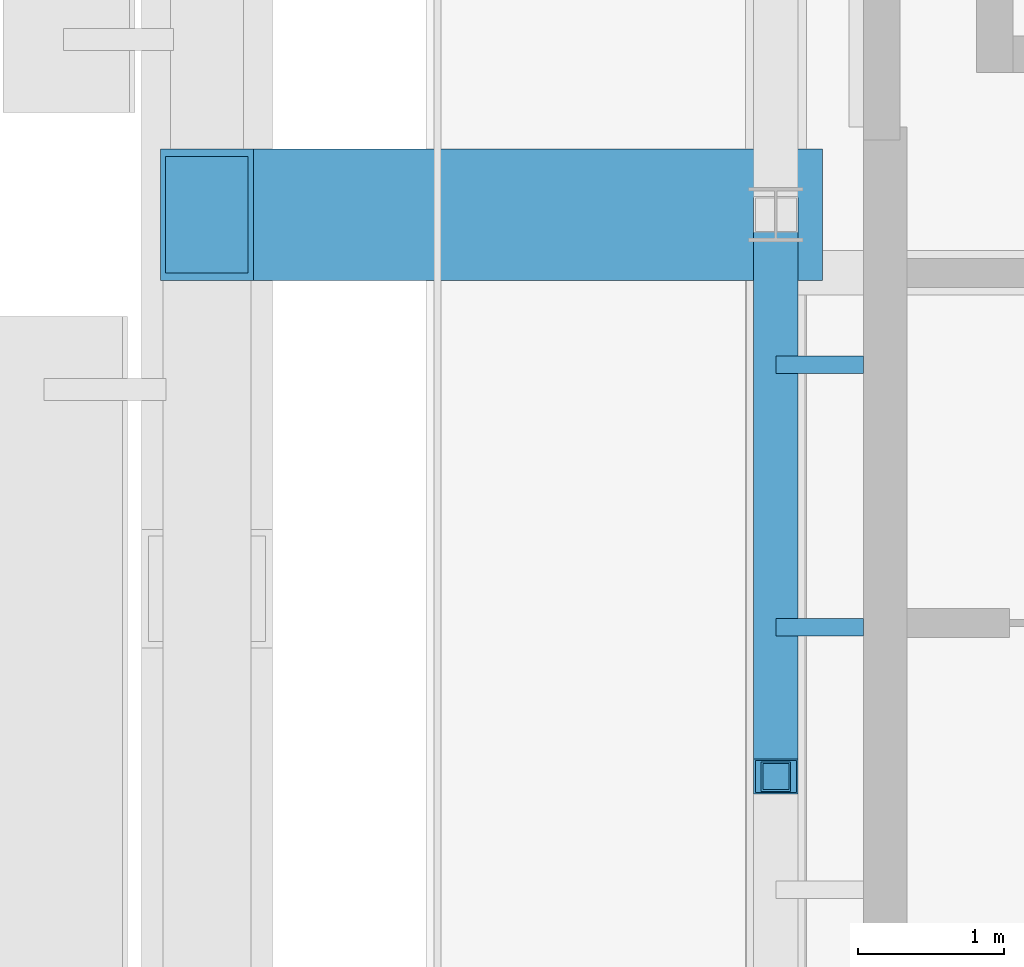
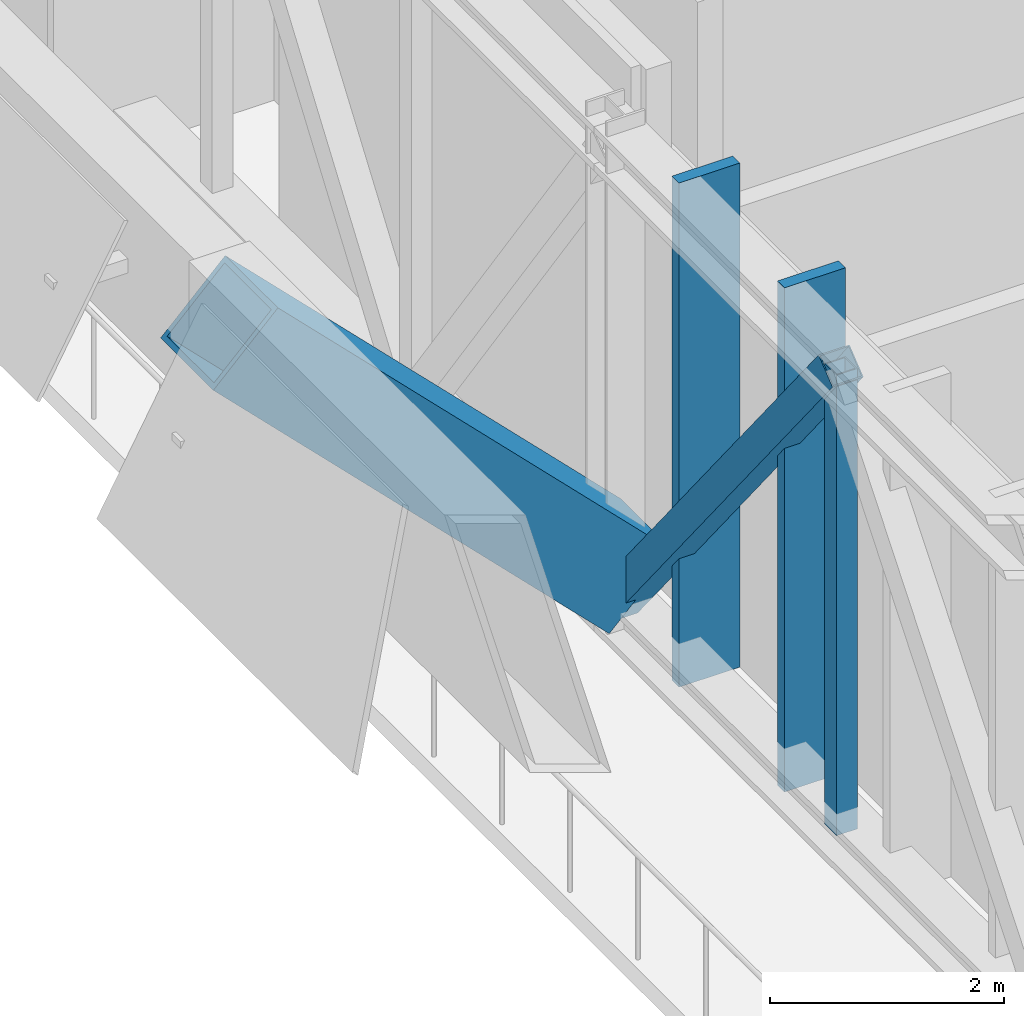
# One storey, part 8 of 31: 5 members, 1 element without a shape of its own.
"""IFC4 building model written with IfcOpenShell, lengths in metres."""

import ifcopenshell
import ifcopenshell.guid

model = None  # the IFC model being written
_history = None  # IfcOwnerHistory: only IFC2X3 demands one
_inside = {}  # id of a spatial element -> (the spatial element, [elements in it])
_under = {}  # id of a project, library or spatial element -> (it, [spatial elements below it])
_declared = {}  # id of a project -> (the project, [libraries it declares])
_typed = {}  # id of a type object -> (the type object, [elements of that type])
_made_of = {}  # id of a material, layer set ... -> (it, [elements and type objects made of it])


def new_model(schema):
    """Start an empty IFC model of exactly this schema.

    Asked for "IFC4X3", IfcOpenShell would pick the latest addendum, in which some entities
    have other attributes; the version numbers below select the first issue.
    IFC2X3 requires an IfcOwnerHistory on every rooted entity: one is made here for all.
    """
    global model, _history
    if schema == "IFC4X3":
        model = ifcopenshell.file(schema_version=(4, 3, 0, 0))
    else:
        model = ifcopenshell.file(schema=schema)
    _inside.clear()
    _under.clear()
    _declared.clear()
    _typed.clear()
    _made_of.clear()
    _history = None
    if model.schema == "IFC2X3":
        org = make("IfcOrganization", Name="unknown")
        user = make(
            "IfcPersonAndOrganization",
            ThePerson=make("IfcPerson", FamilyName="unknown"),
            TheOrganization=org,
        )
        app = make(
            "IfcApplication",
            ApplicationDeveloper=org,
            Version="unknown",
            ApplicationFullName="unknown",
            ApplicationIdentifier="unknown",
        )
        _history = make(
            "IfcOwnerHistory",
            OwningUser=user,
            OwningApplication=app,
            ChangeAction="ADDED",
            CreationDate=0,
        )
    return model


def make(cls, **values):
    """One entity of the class cls with the attributes given. An attribute that is None is left unset."""
    return model.create_entity(
        cls, **{name: value for name, value in values.items() if value is not None}
    )


def rooted(cls, **values):
    """An entity with a GlobalId (a new one), such as an element, a storey or a relation."""
    return make(cls, GlobalId=ifcopenshell.guid.new(), OwnerHistory=_history, **values)


def si_unit(unit_type, name, prefix=None):
    """IfcSIUnit, for example si_unit("LENGTHUNIT", "METRE", prefix="MILLI")."""
    return make("IfcSIUnit", UnitType=unit_type, Prefix=prefix, Name=name)


def assignment(units):
    """IfcUnitAssignment: the units of a project."""
    return None if units is None else make("IfcUnitAssignment", Units=units)


def point(xyz):
    """IfcCartesianPoint."""
    return None if xyz is None else make("IfcCartesianPoint", Coordinates=xyz)


def direction(xyz):
    """IfcDirection."""
    return None if xyz is None else make("IfcDirection", DirectionRatios=xyz)


def frame(location, z_axis=None, x_axis=None):
    """IfcAxis2Placement3D, a coordinate frame: its origin and axes. An axis left out is left unset."""
    return make(
        "IfcAxis2Placement3D",
        Location=point(location),
        Axis=direction(z_axis),
        RefDirection=direction(x_axis),
    )


def frame_2d(location, x_axis=None):
    """IfcAxis2Placement2D, a coordinate frame in the plane: its origin and x axis."""
    return make(
        "IfcAxis2Placement2D", Location=point(location), RefDirection=direction(x_axis)
    )


def origin():
    """The frame at (0, 0, 0) with its axes left unset."""
    return frame((0.0, 0.0, 0.0))


def origin_2d():
    """The frame at (0, 0) in the plane with its x axis left unset."""
    return frame_2d((0.0, 0.0))


def place(relative_to, where):
    """IfcLocalPlacement: puts the frame where relative to a parent placement (None: the world)."""
    return make(
        "IfcLocalPlacement", PlacementRelTo=relative_to, RelativePlacement=where
    )


def context(
    kind, dimensions, precision=None, world=None, true_north=None, identifier=None
):
    """IfcGeometricRepresentationContext, for example the 3D "Model" context."""
    return make(
        "IfcGeometricRepresentationContext",
        ContextIdentifier=identifier,
        ContextType=kind,
        CoordinateSpaceDimension=dimensions,
        Precision=precision,
        WorldCoordinateSystem=world,
        TrueNorth=true_north,
    )


def subcontext(parent, identifier, kind, view, scale=None):
    """IfcGeometricRepresentationSubContext, for example "Body" below "Model"."""
    return make(
        "IfcGeometricRepresentationSubContext",
        ContextIdentifier=identifier,
        ContextType=kind,
        ParentContext=parent,
        TargetScale=scale,
        TargetView=view,
    )


def project(units=None, contexts=None):
    """IfcProject with its units and contexts."""
    return rooted(
        "IfcProject",
        Name="project",
        RepresentationContexts=contexts,
        UnitsInContext=assignment(units),
    )


def spatial(cls, under=None, at=None, **own):
    """A site, building, storey or space (cls), placed at a placement, below another one or the project."""
    s = rooted(cls, ObjectPlacement=at, **own)
    if under is not None:
        _under.setdefault(under.id(), (under, []))[1].append(s)
    return s


def profile(cls, at=None, kind="AREA", **sizes):
    """A parametric profile (cls). Its sizes go by their IFC names, for example OverallWidth=200.0."""
    return make(cls, ProfileType=kind, Position=at, **sizes)


def rectangle(**sizes):
    """IfcRectangleProfileDef."""
    return profile("IfcRectangleProfileDef", **sizes)


def hollow_rectangle(**sizes):
    """IfcRectangleHollowProfileDef."""
    return profile("IfcRectangleHollowProfileDef", **sizes)


def extrude(swept, where, along, depth):
    """IfcExtrudedAreaSolid: the profile swept, set in the frame where, extruded along a direction by depth."""
    return make(
        "IfcExtrudedAreaSolid",
        SweptArea=swept,
        Position=where,
        ExtrudedDirection=direction(along),
        Depth=depth,
    )


def shape(context_of_items, identifier, shape_type, items):
    """IfcShapeRepresentation: the items that make up one representation, for example the "Body"."""
    return make(
        "IfcShapeRepresentation",
        ContextOfItems=context_of_items,
        RepresentationIdentifier=identifier,
        RepresentationType=shape_type,
        Items=items,
    )


def material(Name=None, Category=None):
    """IfcMaterial."""
    return make("IfcMaterial", Name=Name, Category=Category)


def material_profile(
    of_material, cross_section, Name=None, Category=None, Priority=None
):
    """IfcMaterialProfile: a cross section and its material."""
    return make(
        "IfcMaterialProfile",
        Name=Name,
        Material=of_material,
        Profile=cross_section,
        Priority=Priority,
        Category=Category,
    )


def profile_set(profiles, Name=None, composite=None):
    """IfcMaterialProfileSet."""
    return make(
        "IfcMaterialProfileSet",
        Name=Name,
        MaterialProfiles=profiles,
        CompositeProfile=composite,
    )


def made_of(thing, what):
    """Note that an element or type object is made of a material, layer set ...; save() writes the relation."""
    if what is not None:
        _made_of.setdefault(what.id(), (what, []))[1].append(thing)
    return thing


def type_object(cls, material=None, **own):
    """A type object (cls), such as IfcWallType, which elements share."""
    return made_of(rooted(cls, **own), material)


def element(
    cls,
    number,
    at=None,
    inside=None,
    cuts=None,
    type_object=None,
    material=None,
    context=None,
    identifier="Body",
    shape_type=None,
    held_by="IfcProductDefinitionShape",
    body=None,
    shapes=None,
    **own,
):
    """One element of the class cls, such as IfcWall. Its Tag is "e" and its number.

    at: its placement. inside: the storey or other place that contains it. cuts: it is an
    opening in that element (IfcRelVoidsElement). A single representation is given by context,
    identifier, shape_type and body (its items); several are given by shapes. held_by: the class
    of the entity that holds the representations. save() writes the other relations.
    """
    e = rooted(cls, Tag="e%d" % number, ObjectPlacement=at, **own)
    if body is not None:
        shapes = [shape(context, identifier, shape_type, body)]
    if shapes is not None:
        e.Representation = make(held_by, Representations=shapes)
    if inside is not None:
        _inside.setdefault(inside.id(), (inside, []))[1].append(e)
    if cuts is not None:
        rooted(
            "IfcRelVoidsElement", RelatingBuildingElement=cuts, RelatedOpeningElement=e
        )
    if type_object is not None:
        _typed.setdefault(type_object.id(), (type_object, []))[1].append(e)
    return made_of(e, material)


def aggregate(whole, parts):
    """IfcRelAggregates: a whole, such as a stair, and the parts it consists of."""
    return rooted("IfcRelAggregates", RelatingObject=whole, RelatedObjects=parts)


def save(model, path):
    """Write the relations noted so far, then the file.

    IfcRelAggregates (storeys below a building ...), IfcRelContainedInSpatialStructure (elements
    in a storey), IfcRelDefinesByType, IfcRelAssociatesMaterial and IfcRelDeclares: one each for
    every whole, place, type object, material and project.
    """
    for whole, parts in _under.values():
        aggregate(whole, parts)
    for where, things in _inside.values():
        rooted(
            "IfcRelContainedInSpatialStructure",
            RelatedElements=things,
            RelatingStructure=where,
        )
    for kind, things in _typed.values():
        rooted("IfcRelDefinesByType", RelatedObjects=things, RelatingType=kind)
    for what, things in _made_of.values():
        rooted("IfcRelAssociatesMaterial", RelatedObjects=things, RelatingMaterial=what)
    for by, libraries in _declared.values():
        rooted("IfcRelDeclares", RelatingContext=by, RelatedDefinitions=libraries)
    model.write(path)


model = new_model("IFC4")

# Units and contexts
model_context = context("Model", 3, precision=1e-05, world=origin(), true_north=direction((0.0, 1.0)))
body_context = subcontext(model_context, "Body", "Model", "MODEL_VIEW")
ifc_project = project(units=[si_unit("LENGTHUNIT", "METRE"), si_unit("AREAUNIT", "SQUARE_METRE"), si_unit("VOLUMEUNIT", "CUBIC_METRE"), si_unit("PLANEANGLEUNIT", "RADIAN"), si_unit("MASSUNIT", "GRAM", prefix="KILO")], contexts=[model_context])

# Site, building, storey
site_placement = place(None, origin())
site = spatial("IfcSite", under=ifc_project, at=site_placement, CompositionType="ELEMENT")
building_placement = place(site_placement, origin())
building = spatial("IfcBuilding", under=site, at=building_placement, Name="Bicima Exchange Tower", CompositionType="ELEMENT")
storey_placement = place(building_placement, frame((0.0, 0.0, 236.0)))
storey = spatial("IfcBuildingStorey", under=building, at=storey_placement, Name="L53", CompositionType="ELEMENT", Elevation=236.0)

# Curtain wall, members
ifc_material_1 = material(Name="Anodised bronze aluminium", Category="aluminium")
curtain_wall_type = type_object("IfcCurtainWallType", Name="Band blade screen", PredefinedType="NOTDEFINED", material=ifc_material_1)
curtain_wall_placement = place(storey_placement, origin())
curtain_wall = element("IfcCurtainWall", 1, at=curtain_wall_placement, inside=storey, type_object=curtain_wall_type, Name="Band blade screen L53", PredefinedType="NOTDEFINED")
ifc_material_profile_1 = material_profile(ifc_material_1, rectangle(XDim=0.60009765625, YDim=0.1201171875, at=origin_2d()))
ifc_profile_set_1 = profile_set([ifc_material_profile_1], Name="Anodised bronze aluminium")
member_type_1 = type_object("IfcMemberType", Name="Band blade fin 600 x 120", PredefinedType="USERDEFINED", material=ifc_profile_set_1)
member_1_placement = place(storey_placement, frame((-33.300048828125, -13.628173828125, 0.0), z_axis=(0.0, 0.0, 1.0), x_axis=(1.0, 0.0, 0.0)))
member_1 = element("IfcMember", 2, at=member_1_placement, type_object=member_type_1, Name="Band blade fin 11", ObjectType="FIN", PredefinedType="USERDEFINED", context=body_context, shape_type="SweptSolid", body=[
    extrude(rectangle(XDim=0.60009765625, YDim=0.1201171875, at=origin_2d()), origin(), (0.0, 0.0, 1.0), 5.25),
])
member_2_placement = place(storey_placement, frame((-33.300048828125, -15.427978515625, 0.0), z_axis=(0.0, 0.0, 1.0), x_axis=(1.0, 0.0, 0.0)))
member_2 = element("IfcMember", 3, at=member_2_placement, type_object=member_type_1, Name="Band blade fin 12", ObjectType="FIN", PredefinedType="USERDEFINED", context=body_context, shape_type="SweptSolid", body=[
    extrude(rectangle(XDim=0.60009765625, YDim=0.1201171875, at=origin_2d()), origin(), (0.0, 0.0, 1.0), 5.25),
])
aggregate(curtain_wall, [member_1, member_2])

# Members
ifc_material_2 = material(Name="Steel ASTM A572 Gr 50", Category="steel")
ifc_material_profile_2 = material_profile(ifc_material_2, hollow_rectangle(XDim=0.3046875, YDim=0.3046875, WallThickness=0.01171875, at=origin_2d()))
ifc_profile_set_2 = profile_set([ifc_material_profile_2], Name="Steel ASTM A572 Gr 50")
member_type_2 = type_object("IfcMemberType", Name="Belt truss diagonal HSS12x12x1/2", PredefinedType="STRUT", material=ifc_profile_set_2)
member_3_placement = place(storey_placement, frame((-33.60009765625, -12.60009765625, 0.227294921875), z_axis=(0.0, -0.626276544329, 0.779600981286), x_axis=(1.0, 0.0, 0.0)))
element("IfcMember", 4, at=member_3_placement, inside=storey, type_object=member_type_2, Name="Truss diagonal", PredefinedType="STRUT", context=body_context, shape_type="SweptSolid", body=[
    extrude(hollow_rectangle(XDim=0.3046875, YDim=0.3046875, WallThickness=0.01171875, at=origin_2d()), origin(), (0.0, 0.0, 1.0), 6.151123046875),
])
ifc_material_profile_3 = material_profile(ifc_material_2, hollow_rectangle(XDim=0.203125, YDim=0.203125, WallThickness=0.01171875, at=origin_2d()))
ifc_profile_set_3 = profile_set([ifc_material_profile_3], Name="Steel ASTM A572 Gr 50")
member_type_3 = type_object("IfcMemberType", Name="Belt truss post HSS8x8x1/2", PredefinedType="POST", material=ifc_profile_set_3)
member_4_placement = place(storey_placement, frame((-33.60009765625, -16.452392578125, 0.227294921875), z_axis=(0.0, 0.0, 1.0), x_axis=(1.0, 0.0, 0.0)))
element("IfcMember", 5, at=member_4_placement, inside=storey, type_object=member_type_3, Name="Truss post", PredefinedType="POST", context=body_context, shape_type="SweptSolid", body=[
    extrude(hollow_rectangle(XDim=0.203125, YDim=0.203125, WallThickness=0.01171875, at=origin_2d()), origin(), (0.0, 0.0, 1.0), 4.79541015625),
])
ifc_material_profile_4 = material_profile(ifc_material_2, hollow_rectangle(XDim=0.89990234375, YDim=0.89990234375, WallThickness=0.050048828125, at=origin_2d()))
ifc_profile_set_4 = profile_set([ifc_material_profile_4], Name="Steel ASTM A572 Gr 50")
member_type_4 = type_object("IfcMemberType", Name="Exo outrigger stub BOX 900x900x50", PredefinedType="STRUT", material=ifc_profile_set_4)
member_5_placement = place(storey_placement, frame((-33.60009765625, -12.60009765625, 0.60009765625), z_axis=(-0.707106781187, 0.0, 0.707106781187), x_axis=(0.0, -1.0, 0.0)))
element("IfcMember", 6, at=member_5_placement, inside=storey, type_object=member_type_4, Name="Exo outrigger stub", PredefinedType="STRUT", context=body_context, shape_type="SweptSolid", body=[
    extrude(hollow_rectangle(XDim=0.89990234375, YDim=0.89990234375, WallThickness=0.050048828125, at=origin_2d()), origin(), (0.0, 0.0, 1.0), 5.515380859375),
])

save(model, "model.ifc")
